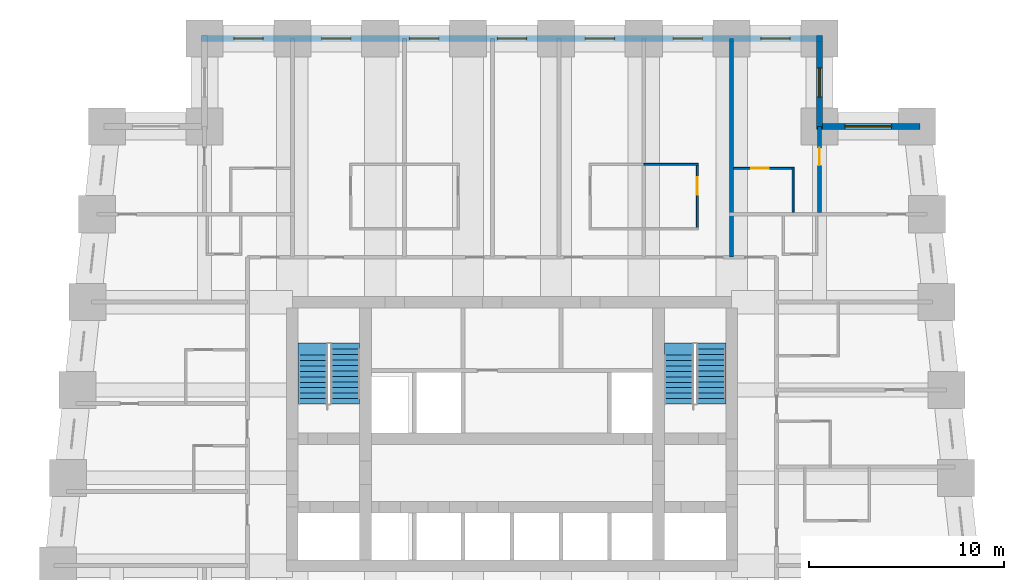
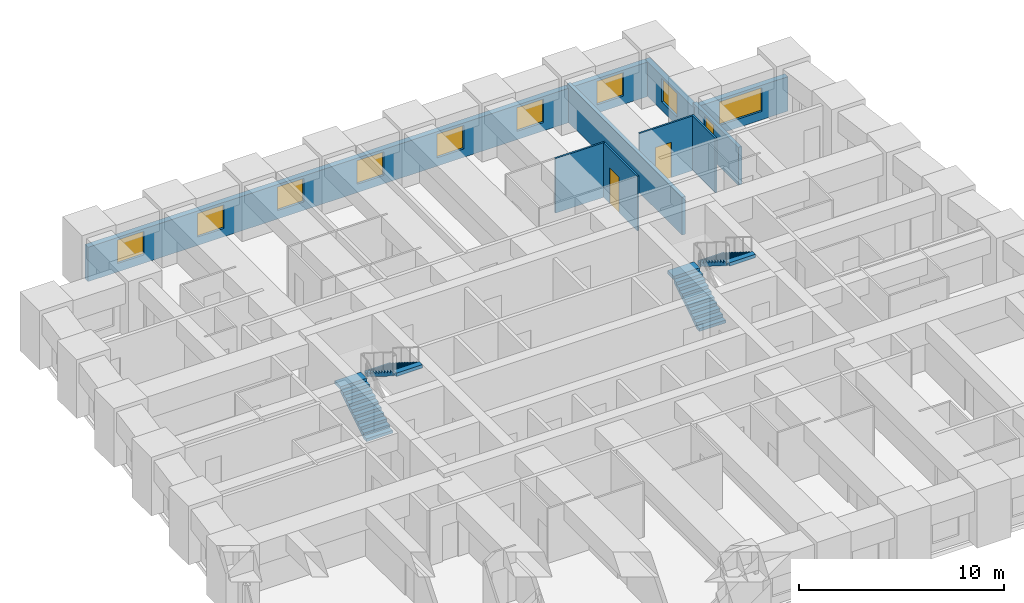
# One storey, part 7 of 8: 9 walls, 9 windows, 4 stair flights, 3 doors, 12 openings, 2 elements without a shape of their own.
"""IFC4 building model written with IfcOpenShell, lengths in metres."""

import ifcopenshell
import ifcopenshell.guid

model = None  # the IFC model being written
_history = None  # IfcOwnerHistory: only IFC2X3 demands one
_inside = {}  # id of a spatial element -> (the spatial element, [elements in it])
_under = {}  # id of a project, library or spatial element -> (it, [spatial elements below it])
_declared = {}  # id of a project -> (the project, [libraries it declares])
_typed = {}  # id of a type object -> (the type object, [elements of that type])
_made_of = {}  # id of a material, layer set ... -> (it, [elements and type objects made of it])


def new_model(schema):
    """Start an empty IFC model of exactly this schema.

    Asked for "IFC4X3", IfcOpenShell would pick the latest addendum, in which some entities
    have other attributes; the version numbers below select the first issue.
    IFC2X3 requires an IfcOwnerHistory on every rooted entity: one is made here for all.
    """
    global model, _history
    if schema == "IFC4X3":
        model = ifcopenshell.file(schema_version=(4, 3, 0, 0))
    else:
        model = ifcopenshell.file(schema=schema)
    _inside.clear()
    _under.clear()
    _declared.clear()
    _typed.clear()
    _made_of.clear()
    _history = None
    if model.schema == "IFC2X3":
        org = make("IfcOrganization", Name="unknown")
        user = make(
            "IfcPersonAndOrganization",
            ThePerson=make("IfcPerson", FamilyName="unknown"),
            TheOrganization=org,
        )
        app = make(
            "IfcApplication",
            ApplicationDeveloper=org,
            Version="unknown",
            ApplicationFullName="unknown",
            ApplicationIdentifier="unknown",
        )
        _history = make(
            "IfcOwnerHistory",
            OwningUser=user,
            OwningApplication=app,
            ChangeAction="ADDED",
            CreationDate=0,
        )
    return model


def make(cls, **values):
    """One entity of the class cls with the attributes given. An attribute that is None is left unset."""
    return model.create_entity(
        cls, **{name: value for name, value in values.items() if value is not None}
    )


def rooted(cls, **values):
    """An entity with a GlobalId (a new one), such as an element, a storey or a relation."""
    return make(cls, GlobalId=ifcopenshell.guid.new(), OwnerHistory=_history, **values)


def si_unit(unit_type, name, prefix=None):
    """IfcSIUnit, for example si_unit("LENGTHUNIT", "METRE", prefix="MILLI")."""
    return make("IfcSIUnit", UnitType=unit_type, Prefix=prefix, Name=name)


def assignment(units):
    """IfcUnitAssignment: the units of a project."""
    return None if units is None else make("IfcUnitAssignment", Units=units)


def point(xyz):
    """IfcCartesianPoint."""
    return None if xyz is None else make("IfcCartesianPoint", Coordinates=xyz)


def direction(xyz):
    """IfcDirection."""
    return None if xyz is None else make("IfcDirection", DirectionRatios=xyz)


def frame(location, z_axis=None, x_axis=None):
    """IfcAxis2Placement3D, a coordinate frame: its origin and axes. An axis left out is left unset."""
    return make(
        "IfcAxis2Placement3D",
        Location=point(location),
        Axis=direction(z_axis),
        RefDirection=direction(x_axis),
    )


def frame_2d(location, x_axis=None):
    """IfcAxis2Placement2D, a coordinate frame in the plane: its origin and x axis."""
    return make(
        "IfcAxis2Placement2D", Location=point(location), RefDirection=direction(x_axis)
    )


def origin():
    """The frame at (0, 0, 0) with its axes left unset."""
    return frame((0.0, 0.0, 0.0))


def place(relative_to, where):
    """IfcLocalPlacement: puts the frame where relative to a parent placement (None: the world)."""
    return make(
        "IfcLocalPlacement", PlacementRelTo=relative_to, RelativePlacement=where
    )


def context(
    kind, dimensions, precision=None, world=None, true_north=None, identifier=None
):
    """IfcGeometricRepresentationContext, for example the 3D "Model" context."""
    return make(
        "IfcGeometricRepresentationContext",
        ContextIdentifier=identifier,
        ContextType=kind,
        CoordinateSpaceDimension=dimensions,
        Precision=precision,
        WorldCoordinateSystem=world,
        TrueNorth=true_north,
    )


def subcontext(parent, identifier, kind, view, scale=None):
    """IfcGeometricRepresentationSubContext, for example "Body" below "Model"."""
    return make(
        "IfcGeometricRepresentationSubContext",
        ContextIdentifier=identifier,
        ContextType=kind,
        ParentContext=parent,
        TargetScale=scale,
        TargetView=view,
    )


def project(units=None, contexts=None):
    """IfcProject with its units and contexts."""
    return rooted(
        "IfcProject",
        Name="project",
        RepresentationContexts=contexts,
        UnitsInContext=assignment(units),
    )


def spatial(cls, under=None, at=None, **own):
    """A site, building, storey or space (cls), placed at a placement, below another one or the project."""
    s = rooted(cls, ObjectPlacement=at, **own)
    if under is not None:
        _under.setdefault(under.id(), (under, []))[1].append(s)
    return s


def polyline(points):
    """IfcPolyline through the points."""
    return make("IfcPolyline", Points=[point(p) for p in points])


def profile(cls, at=None, kind="AREA", **sizes):
    """A parametric profile (cls). Its sizes go by their IFC names, for example OverallWidth=200.0."""
    return make(cls, ProfileType=kind, Position=at, **sizes)


def rectangle(**sizes):
    """IfcRectangleProfileDef."""
    return profile("IfcRectangleProfileDef", **sizes)


def outline(outer, holes=None, kind="AREA"):
    """IfcArbitraryClosedProfileDef: a profile drawn as a closed curve; with holes, ...WithVoids."""
    if holes is None:
        return make("IfcArbitraryClosedProfileDef", ProfileType=kind, OuterCurve=outer)
    return make(
        "IfcArbitraryProfileDefWithVoids",
        ProfileType=kind,
        OuterCurve=outer,
        InnerCurves=holes,
    )


def extrude(swept, where, along, depth):
    """IfcExtrudedAreaSolid: the profile swept, set in the frame where, extruded along a direction by depth."""
    return make(
        "IfcExtrudedAreaSolid",
        SweptArea=swept,
        Position=where,
        ExtrudedDirection=direction(along),
        Depth=depth,
    )


def shape(context_of_items, identifier, shape_type, items):
    """IfcShapeRepresentation: the items that make up one representation, for example the "Body"."""
    return make(
        "IfcShapeRepresentation",
        ContextOfItems=context_of_items,
        RepresentationIdentifier=identifier,
        RepresentationType=shape_type,
        Items=items,
    )


def material(Name=None, Category=None):
    """IfcMaterial."""
    return make("IfcMaterial", Name=Name, Category=Category)


def layer(
    of_material, thickness, ventilated=None, Name=None, Category=None, Priority=None
):
    """IfcMaterialLayer: one layer of a wall or slab, of a material (None: an air gap)."""
    return make(
        "IfcMaterialLayer",
        Material=of_material,
        LayerThickness=thickness,
        IsVentilated=ventilated,
        Name=Name,
        Category=Category,
        Priority=Priority,
    )


def layer_set(layers, Name=None):
    """IfcMaterialLayerSet."""
    return make("IfcMaterialLayerSet", MaterialLayers=layers, LayerSetName=Name)


def made_of(thing, what):
    """Note that an element or type object is made of a material, layer set ...; save() writes the relation."""
    if what is not None:
        _made_of.setdefault(what.id(), (what, []))[1].append(thing)
    return thing


def type_object(cls, material=None, **own):
    """A type object (cls), such as IfcWallType, which elements share."""
    return made_of(rooted(cls, **own), material)


def element(
    cls,
    number,
    at=None,
    inside=None,
    cuts=None,
    type_object=None,
    material=None,
    context=None,
    identifier="Body",
    shape_type=None,
    held_by="IfcProductDefinitionShape",
    body=None,
    shapes=None,
    **own,
):
    """One element of the class cls, such as IfcWall. Its Tag is "e" and its number.

    at: its placement. inside: the storey or other place that contains it. cuts: it is an
    opening in that element (IfcRelVoidsElement). A single representation is given by context,
    identifier, shape_type and body (its items); several are given by shapes. held_by: the class
    of the entity that holds the representations. save() writes the other relations.
    """
    e = rooted(cls, Tag="e%d" % number, ObjectPlacement=at, **own)
    if body is not None:
        shapes = [shape(context, identifier, shape_type, body)]
    if shapes is not None:
        e.Representation = make(held_by, Representations=shapes)
    if inside is not None:
        _inside.setdefault(inside.id(), (inside, []))[1].append(e)
    if cuts is not None:
        rooted(
            "IfcRelVoidsElement", RelatingBuildingElement=cuts, RelatedOpeningElement=e
        )
    if type_object is not None:
        _typed.setdefault(type_object.id(), (type_object, []))[1].append(e)
    return made_of(e, material)


def fill(opening, filler):
    """IfcRelFillsElement: the door or window that sits in an opening."""
    return rooted(
        "IfcRelFillsElement",
        RelatingOpeningElement=opening,
        RelatedBuildingElement=filler,
    )


def aggregate(whole, parts):
    """IfcRelAggregates: a whole, such as a stair, and the parts it consists of."""
    return rooted("IfcRelAggregates", RelatingObject=whole, RelatedObjects=parts)


def save(model, path):
    """Write the relations noted so far, then the file.

    IfcRelAggregates (storeys below a building ...), IfcRelContainedInSpatialStructure (elements
    in a storey), IfcRelDefinesByType, IfcRelAssociatesMaterial and IfcRelDeclares: one each for
    every whole, place, type object, material and project.
    """
    for whole, parts in _under.values():
        aggregate(whole, parts)
    for where, things in _inside.values():
        rooted(
            "IfcRelContainedInSpatialStructure",
            RelatedElements=things,
            RelatingStructure=where,
        )
    for kind, things in _typed.values():
        rooted("IfcRelDefinesByType", RelatedObjects=things, RelatingType=kind)
    for what, things in _made_of.values():
        rooted("IfcRelAssociatesMaterial", RelatedObjects=things, RelatingMaterial=what)
    for by, libraries in _declared.values():
        rooted("IfcRelDeclares", RelatingContext=by, RelatedDefinitions=libraries)
    model.write(path)


model = new_model("IFC4")

# Units and contexts
model_context = context("Model", 3, precision=1e-05, world=origin(), true_north=direction((0.0, 1.0)))
body_context = subcontext(model_context, "Body", "Model", "MODEL_VIEW")
ifc_project = project(units=[si_unit("LENGTHUNIT", "METRE"), si_unit("AREAUNIT", "SQUARE_METRE"), si_unit("VOLUMEUNIT", "CUBIC_METRE"), si_unit("PLANEANGLEUNIT", "RADIAN"), si_unit("MASSUNIT", "GRAM", prefix="KILO")], contexts=[model_context])

# Site, building, storey
site_placement = place(None, origin())
site = spatial("IfcSite", under=ifc_project, at=site_placement, CompositionType="ELEMENT")
building_placement = place(site_placement, origin())
building = spatial("IfcBuilding", under=site, at=building_placement, Name="Kilele Tower Hotel", CompositionType="ELEMENT")
storey_placement = place(building_placement, frame((0.0, 0.0, 75.199951171875)))
storey = spatial("IfcBuildingStorey", under=building, at=storey_placement, Name="L18", CompositionType="ELEMENT", Elevation=75.199951171875)

# Wall
ifc_material_1 = material(Name="Moisture-resistant board")
ifc_layer_1 = layer(ifc_material_1, 0.10009765625)
ifc_layer_set_1 = layer_set([ifc_layer_1], Name="Moisture-resistant board")
wall_type_1 = type_object("IfcWallType", Name="Bathroom partition 100", PredefinedType="PLUMBINGWALL", material=ifc_layer_set_1)
wall_1_placement = place(storey_placement, frame((31.5, 34.050048828125, 0.0), z_axis=(0.0, 0.0, 1.0), x_axis=(1.0, 0.0, 0.0)))
element("IfcWall", 1, at=wall_1_placement, inside=storey, type_object=wall_type_1, Name="Bathroom partition 100 L18", PredefinedType="PLUMBINGWALL", context=body_context, shape_type="SweptSolid", body=[
    extrude(rectangle(XDim=2.800048828125, YDim=0.10009765625, at=frame_2d((1.39990234375, 0.0))), origin(), (0.0, 0.0, 1.0), 3.25),
])

# Wall, opening, door
wall_2_placement = place(storey_placement, frame((34.25, 30.699951171875, 0.0), z_axis=(0.0, 0.0, 1.0), x_axis=(0.0, 1.0, 0.0)))
wall_2 = element("IfcWall", 2, at=wall_2_placement, inside=storey, type_object=wall_type_1, Name="Bathroom partition 100 L18", PredefinedType="PLUMBINGWALL", context=body_context, shape_type="SweptSolid", body=[
    extrude(rectangle(XDim=3.400146484375, YDim=0.10009765625, at=frame_2d((1.7001953125, 0.0))), origin(), (0.0, 0.0, 1.0), 3.25),
])
opening_1_placement = place(wall_2_placement, frame((2.699951171875, 0.0, 0.0), z_axis=(0.0, 0.0, 1.0), x_axis=(-1.0, 0.0, 0.0)))
opening_1 = element("IfcOpeningElement", 3, at=opening_1_placement, cuts=wall_2, Name="Opening D2A", PredefinedType="OPENING", context=body_context, shape_type="SweptSolid", body=[
    extrude(rectangle(XDim=0.89990234375, YDim=2.10009765625, at=frame_2d((0.449951171875, 1.050048828125))), frame((0.0, 0.06005859375, 0.0), z_axis=(0.0, -1.0, 0.0), x_axis=(1.0, 0.0, 0.0)), (0.0, 0.0, 1.0), 0.1201171875),
])
ifc_material_2 = material(Name="Timber door leaf in hardwood frame", Category="wood")
door_type_1 = type_object("IfcDoorType", Name="Bathroom door 900", OperationType="SINGLE_SWING_LEFT", PredefinedType="DOOR", material=ifc_material_2)
door_1_placement = place(opening_1_placement, origin())
door_1 = element("IfcDoor", 4, at=door_1_placement, inside=storey, type_object=door_type_1, Name="Bathroom door 1813B", OperationType="SINGLE_SWING_LEFT", OverallHeight=2.10009765625, OverallWidth=0.89990234375, PredefinedType="DOOR", context=body_context, shape_type="SweptSolid", body=[
    extrude(rectangle(XDim=0.89990234375, YDim=2.10009765625, at=frame_2d((0.449951171875, 1.050048828125))), frame((0.0, 0.02490234375, 0.0), z_axis=(0.0, -1.0, 0.0), x_axis=(1.0, 0.0, 0.0)), (0.0, 0.0, 1.0), 0.050048828125),
])
fill(opening_1, door_1)

# Wall
wall_3_placement = place(storey_placement, frame((39.14990234375, 31.60009765625, 0.0), z_axis=(0.0, 0.0, 1.0), x_axis=(0.0, 1.0, 0.0)))
element("IfcWall", 5, at=wall_3_placement, inside=storey, type_object=wall_type_1, Name="Bathroom partition 100 L18", PredefinedType="PLUMBINGWALL", context=body_context, shape_type="SweptSolid", body=[
    extrude(rectangle(XDim=2.2998046875, YDim=0.10009765625, at=frame_2d((1.14990234375, 0.0))), origin(), (0.0, 0.0, 1.0), 3.25),
])

# Wall, opening, door
wall_4_placement = place(storey_placement, frame((36.10009765625, 33.85009765625, 0.0), z_axis=(0.0, 0.0, 1.0), x_axis=(1.0, 0.0, 0.0)))
wall_4 = element("IfcWall", 6, at=wall_4_placement, inside=storey, type_object=wall_type_1, Name="Bathroom partition 100 L18", PredefinedType="PLUMBINGWALL", context=body_context, shape_type="SweptSolid", body=[
    extrude(rectangle(XDim=3.099853515625, YDim=0.10009765625, at=frame_2d((1.5498046875, 0.0))), origin(), (0.0, 0.0, 1.0), 3.25),
])
opening_2_placement = place(wall_4_placement, frame((0.89990234375, 0.0, 0.0)))
opening_2 = element("IfcOpeningElement", 7, at=opening_2_placement, cuts=wall_4, Name="Opening D2A", PredefinedType="OPENING", context=body_context, shape_type="SweptSolid", body=[
    extrude(rectangle(XDim=0.89990234375, YDim=2.10009765625, at=frame_2d((0.449951171875, 1.050048828125))), frame((0.0, 0.06005859375, 0.0), z_axis=(0.0, -1.0, 0.0), x_axis=(1.0, 0.0, 0.0)), (0.0, 0.0, 1.0), 0.1201171875),
])
door_2_placement = place(opening_2_placement, origin())
door_2 = element("IfcDoor", 8, at=door_2_placement, inside=storey, type_object=door_type_1, Name="Bathroom door 1824B", OperationType="SINGLE_SWING_LEFT", OverallHeight=2.10009765625, OverallWidth=0.89990234375, PredefinedType="DOOR", context=body_context, shape_type="SweptSolid", body=[
    extrude(rectangle(XDim=0.89990234375, YDim=2.10009765625, at=frame_2d((0.449951171875, 1.050048828125))), frame((0.0, 0.02490234375, 0.0), z_axis=(0.0, -1.0, 0.0), x_axis=(1.0, 0.0, 0.0)), (0.0, 0.0, 1.0), 0.050048828125),
])
fill(opening_2, door_2)

ifc_material_3 = material(Name="Blockwork, plastered both sides", Category="masonry")
ifc_layer_2 = layer(ifc_material_3, 0.199951171875)
ifc_layer_set_2 = layer_set([ifc_layer_2], Name="Blockwork, plastered both sides")
wall_type_2 = type_object("IfcWallType", Name="Partition wall 200", PredefinedType="PARTITIONING", material=ifc_layer_set_2)
wall_5_placement = place(storey_placement, frame((40.5, 31.60009765625, 0.0), z_axis=(0.0, 0.0, 1.0), x_axis=(0.0, 1.0, 0.0)))
wall_5 = element("IfcWall", 9, at=wall_5_placement, inside=storey, type_object=wall_type_2, Name="Partition wall 200 L18", PredefinedType="PARTITIONING", context=body_context, shape_type="SweptSolid", body=[
    extrude(rectangle(XDim=4.39990234375, YDim=0.199951171875, at=frame_2d((2.199951171875, 0.0))), origin(), (0.0, 0.0, 1.0), 2.25),
])
opening_3_placement = place(wall_5_placement, frame((2.39990234375, 0.0, 0.0)))
opening_3 = element("IfcOpeningElement", 10, at=opening_3_placement, cuts=wall_5, Name="Opening D3", PredefinedType="OPENING", context=body_context, shape_type="SweptSolid", body=[
    extrude(rectangle(XDim=0.89990234375, YDim=2.10009765625, at=frame_2d((0.449951171875, 1.050048828125))), frame((0.0, 0.10986328125, 0.0), z_axis=(0.0, -1.0, 0.0), x_axis=(1.0, 0.0, 0.0)), (0.0, 0.0, 1.0), 0.219970703125),
])
ifc_material_4 = material(Name="Timber door leaf in hardwood frame", Category="wood")
door_type_2 = type_object("IfcDoorType", Name="Suite internal door 900", OperationType="SINGLE_SWING_LEFT", PredefinedType="DOOR", material=ifc_material_4)
door_3_placement = place(opening_3_placement, origin())
door_3 = element("IfcDoor", 11, at=door_3_placement, inside=storey, type_object=door_type_2, Name="Suite door 1825", OperationType="SINGLE_SWING_RIGHT", OverallHeight=2.10009765625, OverallWidth=0.89990234375, PredefinedType="DOOR", context=body_context, shape_type="SweptSolid", body=[
    extrude(rectangle(XDim=0.89990234375, YDim=2.10009765625, at=frame_2d((0.449951171875, 1.050048828125))), frame((0.0, 0.02490234375, 0.0), z_axis=(0.0, -1.0, 0.0), x_axis=(1.0, 0.0, 0.0)), (0.0, 0.0, 1.0), 0.050048828125),
])
fill(opening_3, door_3)

# Wall
ifc_material_5 = material(Name="Blockwork, plastered both sides", Category="masonry")
ifc_layer_3 = layer(ifc_material_5, 0.199951171875)
ifc_layer_set_3 = layer_set([ifc_layer_3], Name="Blockwork, plastered both sides")
wall_type_3 = type_object("IfcWallType", Name="Party wall 200", PredefinedType="PARTITIONING", material=ifc_layer_set_3)
wall_6_placement = place(storey_placement, frame((36.0, 29.300048828125, 0.0), z_axis=(0.0, 0.0, 1.0), x_axis=(0.0, 1.0, 0.0)))
element("IfcWall", 12, at=wall_6_placement, inside=storey, type_object=wall_type_3, Name="Party wall 200 L18", PredefinedType="PARTITIONING", context=body_context, shape_type="SweptSolid", body=[
    extrude(rectangle(XDim=11.199951171875, YDim=0.199951171875, at=frame_2d((5.60009765625, 0.0))), origin(), (0.0, 0.0, 1.0), 2.25),
])

# Wall, opening, window
ifc_material_6 = material(Name="Concrete C40/50 precast", Category="concrete")
ifc_layer_4 = layer(ifc_material_6, 0.260009765625, Name="Precast backing", Category="LoadBearing")
ifc_material_7 = material(Name="Reconstituted stone finish", Category="masonry")
ifc_layer_5 = layer(ifc_material_7, 0.0400390625, Name="Face mix", Category="Finish")
ifc_layer_set_4 = layer_set([ifc_layer_4, ifc_layer_5], Name="Precast concrete C40/50, reconstituted stone finish")
wall_type_4 = type_object("IfcWallType", Name="Precast stone facade wall 300", PredefinedType="STANDARD", material=ifc_layer_set_4)
wall_7_placement = place(storey_placement, frame((45.64990234375, 36.0, 0.0), z_axis=(0.0, 0.0, 1.0), x_axis=(-1.0, 0.0, 0.0)))
wall_7 = element("IfcWall", 13, at=wall_7_placement, inside=storey, type_object=wall_type_4, Name="Facade wall L18 edge 7", PredefinedType="STANDARD", context=body_context, shape_type="SweptSolid", body=[
    extrude(rectangle(XDim=5.2998046875, YDim=0.300048828125, at=frame_2d((2.64990234375, 0.0))), origin(), (0.0, 0.0, 1.0), 2.050048828125),
])
opening_4_placement = place(wall_7_placement, frame((1.449951171875, 0.0, 0.5)))
opening_4 = element("IfcOpeningElement", 14, at=opening_4_placement, cuts=wall_7, Name="Opening W1", PredefinedType="OPENING", context=body_context, shape_type="SweptSolid", body=[
    extrude(rectangle(XDim=2.39990234375, YDim=1.39990234375, at=frame_2d((1.199951171875, 0.699951171875))), frame((0.0, 0.159912109375, 0.0), z_axis=(0.0, -1.0, 0.0), x_axis=(1.0, 0.0, 0.0)), (0.0, 0.0, 1.0), 0.320068359375),
])
ifc_material_8 = material(Name="Aluminium frame, clear double glazing", Category="aluminium")
window_type_1 = type_object("IfcWindowType", Name="Window W1 2400 x 1400", PartitioningType="SINGLE_PANEL", PredefinedType="WINDOW", material=ifc_material_8)
window_1_placement = place(opening_4_placement, origin())
window_1 = element("IfcWindow", 15, at=window_1_placement, inside=storey, type_object=window_type_1, Name="Window L18", OverallHeight=1.39990234375, OverallWidth=2.39990234375, PartitioningType="SINGLE_PANEL", PredefinedType="WINDOW", context=body_context, shape_type="SweptSolid", body=[
    extrude(rectangle(XDim=2.39990234375, YDim=1.39990234375, at=frame_2d((1.199951171875, 0.699951171875))), frame((0.0, 0.030029296875, 0.0), z_axis=(0.0, -1.0, 0.0), x_axis=(1.0, 0.0, 0.0)), (0.0, 0.0, 1.0), 0.06005859375),
])
fill(opening_4, window_1)

wall_8_placement = place(storey_placement, frame((40.5, 35.85009765625, 0.0), z_axis=(0.0, 0.0, 1.0), x_axis=(0.0, 1.0, 0.0)))
wall_8 = element("IfcWall", 16, at=wall_8_placement, inside=storey, type_object=wall_type_4, Name="Facade wall L18 edge 8", PredefinedType="STANDARD", context=body_context, shape_type="SweptSolid", body=[
    extrude(rectangle(XDim=4.7998046875, YDim=0.300048828125, at=frame_2d((2.39990234375, 0.0))), origin(), (0.0, 0.0, 1.0), 2.050048828125),
])
opening_5_placement = place(wall_8_placement, frame((1.64990234375, 0.0, 0.5)))
opening_5 = element("IfcOpeningElement", 17, at=opening_5_placement, cuts=wall_8, Name="Opening W1", PredefinedType="OPENING", context=body_context, shape_type="SweptSolid", body=[
    extrude(rectangle(XDim=1.5, YDim=1.39990234375, at=frame_2d((0.75, 0.699951171875))), frame((0.0, 0.159912109375, 0.0), z_axis=(0.0, -1.0, 0.0), x_axis=(1.0, 0.0, 0.0)), (0.0, 0.0, 1.0), 0.320068359375),
])
ifc_material_9 = material(Name="Aluminium frame, clear double glazing", Category="aluminium")
window_type_2 = type_object("IfcWindowType", Name="Window W1 1500 x 1400", PartitioningType="SINGLE_PANEL", PredefinedType="WINDOW", material=ifc_material_9)
window_2_placement = place(opening_5_placement, origin())
window_2 = element("IfcWindow", 18, at=window_2_placement, inside=storey, type_object=window_type_2, Name="Window L18", OverallHeight=1.39990234375, OverallWidth=1.5, PartitioningType="SINGLE_PANEL", PredefinedType="WINDOW", context=body_context, shape_type="SweptSolid", body=[
    extrude(rectangle(XDim=1.5, YDim=1.39990234375, at=frame_2d((0.75, 0.699951171875))), frame((0.0, 0.030029296875, 0.0), z_axis=(0.0, -1.0, 0.0), x_axis=(1.0, 0.0, 0.0)), (0.0, 0.0, 1.0), 0.06005859375),
])
fill(opening_5, window_2)

# Wall, openings, windows
wall_9_placement = place(storey_placement, frame((40.64990234375, 40.5, 0.0), z_axis=(0.0, 0.0, 1.0), x_axis=(-1.0, 0.0, 0.0)))
wall_9 = element("IfcWall", 19, at=wall_9_placement, inside=storey, type_object=wall_type_4, Name="Facade wall L18 edge 9", PredefinedType="STANDARD", context=body_context, shape_type="SweptSolid", body=[
    extrude(rectangle(XDim=31.7998046875, YDim=0.300048828125, at=frame_2d((15.89990234375, 0.0))), origin(), (0.0, 0.0, 1.0), 2.050048828125),
])
opening_6_placement = place(wall_9_placement, frame((1.64990234375, 0.0, 0.5)))
opening_6 = element("IfcOpeningElement", 20, at=opening_6_placement, cuts=wall_9, Name="Opening W1", PredefinedType="OPENING", context=body_context, shape_type="SweptSolid", body=[
    extrude(rectangle(XDim=1.5, YDim=1.39990234375, at=frame_2d((0.75, 0.699951171875))), frame((0.0, 0.159912109375, 0.0), z_axis=(0.0, -1.0, 0.0), x_axis=(1.0, 0.0, 0.0)), (0.0, 0.0, 1.0), 0.320068359375),
])
opening_7_placement = place(wall_9_placement, frame((6.14990234375, 0.0, 0.5)))
opening_7 = element("IfcOpeningElement", 21, at=opening_7_placement, cuts=wall_9, Name="Opening W1", PredefinedType="OPENING", context=body_context, shape_type="SweptSolid", body=[
    extrude(rectangle(XDim=1.5, YDim=1.39990234375, at=frame_2d((0.75, 0.699951171875))), frame((0.0, 0.159912109375, 0.0), z_axis=(0.0, -1.0, 0.0), x_axis=(1.0, 0.0, 0.0)), (0.0, 0.0, 1.0), 0.320068359375),
])
opening_8_placement = place(wall_9_placement, frame((10.64990234375, 0.0, 0.5)))
opening_8 = element("IfcOpeningElement", 22, at=opening_8_placement, cuts=wall_9, Name="Opening W1", PredefinedType="OPENING", context=body_context, shape_type="SweptSolid", body=[
    extrude(rectangle(XDim=1.5, YDim=1.39990234375, at=frame_2d((0.75, 0.699951171875))), frame((0.0, 0.159912109375, 0.0), z_axis=(0.0, -1.0, 0.0), x_axis=(1.0, 0.0, 0.0)), (0.0, 0.0, 1.0), 0.320068359375),
])
opening_9_placement = place(wall_9_placement, frame((15.14990234375, 0.0, 0.5)))
opening_9 = element("IfcOpeningElement", 23, at=opening_9_placement, cuts=wall_9, Name="Opening W1", PredefinedType="OPENING", context=body_context, shape_type="SweptSolid", body=[
    extrude(rectangle(XDim=1.5, YDim=1.39990234375, at=frame_2d((0.75, 0.699951171875))), frame((0.0, 0.159912109375, 0.0), z_axis=(0.0, -1.0, 0.0), x_axis=(1.0, 0.0, 0.0)), (0.0, 0.0, 1.0), 0.320068359375),
])
opening_10_placement = place(wall_9_placement, frame((19.64990234375, 0.0, 0.5)))
opening_10 = element("IfcOpeningElement", 24, at=opening_10_placement, cuts=wall_9, Name="Opening W1", PredefinedType="OPENING", context=body_context, shape_type="SweptSolid", body=[
    extrude(rectangle(XDim=1.5, YDim=1.39990234375, at=frame_2d((0.75, 0.699951171875))), frame((0.0, 0.159912109375, 0.0), z_axis=(0.0, -1.0, 0.0), x_axis=(1.0, 0.0, 0.0)), (0.0, 0.0, 1.0), 0.320068359375),
])
opening_11_placement = place(wall_9_placement, frame((24.14990234375, 0.0, 0.5)))
opening_11 = element("IfcOpeningElement", 25, at=opening_11_placement, cuts=wall_9, Name="Opening W1", PredefinedType="OPENING", context=body_context, shape_type="SweptSolid", body=[
    extrude(rectangle(XDim=1.5, YDim=1.39990234375, at=frame_2d((0.75, 0.699951171875))), frame((0.0, 0.159912109375, 0.0), z_axis=(0.0, -1.0, 0.0), x_axis=(1.0, 0.0, 0.0)), (0.0, 0.0, 1.0), 0.320068359375),
])
opening_12_placement = place(wall_9_placement, frame((28.64990234375, 0.0, 0.5)))
opening_12 = element("IfcOpeningElement", 26, at=opening_12_placement, cuts=wall_9, Name="Opening W1", PredefinedType="OPENING", context=body_context, shape_type="SweptSolid", body=[
    extrude(rectangle(XDim=1.5, YDim=1.39990234375, at=frame_2d((0.75, 0.699951171875))), frame((0.0, 0.159912109375, 0.0), z_axis=(0.0, -1.0, 0.0), x_axis=(1.0, 0.0, 0.0)), (0.0, 0.0, 1.0), 0.320068359375),
])
window_3_placement = place(opening_6_placement, origin())
window_3 = element("IfcWindow", 27, at=window_3_placement, inside=storey, type_object=window_type_2, Name="Window L18", OverallHeight=1.39990234375, OverallWidth=1.5, PartitioningType="SINGLE_PANEL", PredefinedType="WINDOW", context=body_context, shape_type="SweptSolid", body=[
    extrude(rectangle(XDim=1.5, YDim=1.39990234375, at=frame_2d((0.75, 0.699951171875))), frame((0.0, 0.030029296875, 0.0), z_axis=(0.0, -1.0, 0.0), x_axis=(1.0, 0.0, 0.0)), (0.0, 0.0, 1.0), 0.06005859375),
])
fill(opening_6, window_3)
window_4_placement = place(opening_7_placement, origin())
window_4 = element("IfcWindow", 28, at=window_4_placement, inside=storey, type_object=window_type_2, Name="Window L18", OverallHeight=1.39990234375, OverallWidth=1.5, PartitioningType="SINGLE_PANEL", PredefinedType="WINDOW", context=body_context, shape_type="SweptSolid", body=[
    extrude(rectangle(XDim=1.5, YDim=1.39990234375, at=frame_2d((0.75, 0.699951171875))), frame((0.0, 0.030029296875, 0.0), z_axis=(0.0, -1.0, 0.0), x_axis=(1.0, 0.0, 0.0)), (0.0, 0.0, 1.0), 0.06005859375),
])
fill(opening_7, window_4)
window_5_placement = place(opening_8_placement, origin())
window_5 = element("IfcWindow", 29, at=window_5_placement, inside=storey, type_object=window_type_2, Name="Window L18", OverallHeight=1.39990234375, OverallWidth=1.5, PartitioningType="SINGLE_PANEL", PredefinedType="WINDOW", context=body_context, shape_type="SweptSolid", body=[
    extrude(rectangle(XDim=1.5, YDim=1.39990234375, at=frame_2d((0.75, 0.699951171875))), frame((0.0, 0.030029296875, 0.0), z_axis=(0.0, -1.0, 0.0), x_axis=(1.0, 0.0, 0.0)), (0.0, 0.0, 1.0), 0.06005859375),
])
fill(opening_8, window_5)
window_6_placement = place(opening_9_placement, origin())
window_6 = element("IfcWindow", 30, at=window_6_placement, inside=storey, type_object=window_type_2, Name="Window L18", OverallHeight=1.39990234375, OverallWidth=1.5, PartitioningType="SINGLE_PANEL", PredefinedType="WINDOW", context=body_context, shape_type="SweptSolid", body=[
    extrude(rectangle(XDim=1.5, YDim=1.39990234375, at=frame_2d((0.75, 0.699951171875))), frame((0.0, 0.030029296875, 0.0), z_axis=(0.0, -1.0, 0.0), x_axis=(1.0, 0.0, 0.0)), (0.0, 0.0, 1.0), 0.06005859375),
])
fill(opening_9, window_6)
window_7_placement = place(opening_10_placement, origin())
window_7 = element("IfcWindow", 31, at=window_7_placement, inside=storey, type_object=window_type_2, Name="Window L18", OverallHeight=1.39990234375, OverallWidth=1.5, PartitioningType="SINGLE_PANEL", PredefinedType="WINDOW", context=body_context, shape_type="SweptSolid", body=[
    extrude(rectangle(XDim=1.5, YDim=1.39990234375, at=frame_2d((0.75, 0.699951171875))), frame((0.0, 0.030029296875, 0.0), z_axis=(0.0, -1.0, 0.0), x_axis=(1.0, 0.0, 0.0)), (0.0, 0.0, 1.0), 0.06005859375),
])
fill(opening_10, window_7)
window_8_placement = place(opening_11_placement, origin())
window_8 = element("IfcWindow", 32, at=window_8_placement, inside=storey, type_object=window_type_2, Name="Window L18", OverallHeight=1.39990234375, OverallWidth=1.5, PartitioningType="SINGLE_PANEL", PredefinedType="WINDOW", context=body_context, shape_type="SweptSolid", body=[
    extrude(rectangle(XDim=1.5, YDim=1.39990234375, at=frame_2d((0.75, 0.699951171875))), frame((0.0, 0.030029296875, 0.0), z_axis=(0.0, -1.0, 0.0), x_axis=(1.0, 0.0, 0.0)), (0.0, 0.0, 1.0), 0.06005859375),
])
fill(opening_11, window_8)
window_9_placement = place(opening_12_placement, origin())
window_9 = element("IfcWindow", 33, at=window_9_placement, inside=storey, type_object=window_type_2, Name="Window L18", OverallHeight=1.39990234375, OverallWidth=1.5, PartitioningType="SINGLE_PANEL", PredefinedType="WINDOW", context=body_context, shape_type="SweptSolid", body=[
    extrude(rectangle(XDim=1.5, YDim=1.39990234375, at=frame_2d((0.75, 0.699951171875))), frame((0.0, 0.030029296875, 0.0), z_axis=(0.0, -1.0, 0.0), x_axis=(1.0, 0.0, 0.0)), (0.0, 0.0, 1.0), 0.06005859375),
])
fill(opening_12, window_9)

# Stair, stair flights
ifc_material_10 = material(Name="Precast concrete C40/50", Category="concrete")
stair_type = type_object("IfcStairType", Name="Stair 1475 x 3500", PredefinedType="HALF_TURN_STAIR", material=ifc_material_10)
stair_1_placement = place(storey_placement, origin())
stair_1 = element("IfcStair", 34, at=stair_1_placement, inside=storey, type_object=stair_type, Name="Stair 1 L18", PredefinedType="HALF_TURN_STAIR")
ifc_material_11 = material(Name="Precast concrete C40/50", Category="concrete")
stair_flight_type = type_object("IfcStairFlightType", Name="Flight 1475 riser 175.0", PredefinedType="STRAIGHT", material=ifc_material_11)
stair_flight_1_placement = place(storey_placement, frame((14.53759765625, 21.77490234375, 0.0), z_axis=(0.0, 0.0, 1.0), x_axis=(0.0, 1.0, 0.0)))
stair_flight_1 = element("IfcStairFlight", 35, at=stair_flight_1_placement, type_object=stair_flight_type, Name="ST1 flight 1", NumberOfRisers=10, NumberOfTreads=9, PredefinedType="STRAIGHT", RiserHeight=0.175, TreadLength=0.28, context=body_context, shape_type="SweptSolid", body=[
    extrude(outline(polyline([(0.0, 0.0), (0.0, 0.175048828125), (0.280029296875, 0.175048828125), (0.280029296875, 0.35009765625), (0.56005859375, 0.35009765625), (0.56005859375, 0.52490234375), (0.840087890625, 0.52490234375), (0.840087890625, 0.699951171875), (1.1201171875, 0.699951171875), (1.1201171875, 0.875), (1.39990234375, 0.875), (1.39990234375, 1.050048828125), (1.679931640625, 1.050048828125), (1.679931640625, 1.22509765625), (1.9599609375, 1.22509765625), (1.9599609375, 1.39990234375), (2.239990234375, 1.39990234375), (2.239990234375, 1.574951171875), (2.52001953125, 1.574951171875), (2.52001953125, 1.75), (2.52001953125, 1.398193359375), (0.28271484375, 0.0), (0.0, 0.0)])), frame((0.0, 0.737548828125, 0.0), z_axis=(0.0, -1.0, 0.0), x_axis=(1.0, 0.0, 0.0)), (0.0, 0.0, 1.0), 1.47509765625),
    extrude(outline(polyline([(2.52001953125, 0.737548828125), (2.52001953125, -0.7373046875), (3.1201171875, -0.7373046875), (3.1201171875, 0.737548828125), (2.52001953125, 0.737548828125)])), frame((0.0, 0.0, 1.550048828125)), (0.0, 0.0, 1.0), 0.199951171875),
])
stair_flight_2_placement = place(storey_placement, frame((16.21240234375, 24.594970703125, 1.75), z_axis=(0.0, 0.0, 1.0), x_axis=(0.0, -1.0, 0.0)))
stair_flight_2 = element("IfcStairFlight", 36, at=stair_flight_2_placement, type_object=stair_flight_type, Name="ST1 flight 2", NumberOfRisers=10, NumberOfTreads=9, PredefinedType="STRAIGHT", RiserHeight=0.175, TreadLength=0.28, context=body_context, shape_type="SweptSolid", body=[
    extrude(outline(polyline([(0.0, 0.0), (0.0, 0.175048828125), (0.280029296875, 0.175048828125), (0.280029296875, 0.35009765625), (0.56005859375, 0.35009765625), (0.56005859375, 0.52490234375), (0.840087890625, 0.52490234375), (0.840087890625, 0.699951171875), (1.1201171875, 0.699951171875), (1.1201171875, 0.875), (1.39990234375, 0.875), (1.39990234375, 1.050048828125), (1.679931640625, 1.050048828125), (1.679931640625, 1.22509765625), (1.9599609375, 1.22509765625), (1.9599609375, 1.39990234375), (2.239990234375, 1.39990234375), (2.239990234375, 1.574951171875), (2.52001953125, 1.574951171875), (2.52001953125, 1.75), (2.52001953125, 1.398193359375), (0.28271484375, 0.0), (0.0, 0.0)])), frame((0.0, 0.737548828125, 0.0), z_axis=(0.0, -1.0, 0.0), x_axis=(1.0, 0.0, 0.0)), (0.0, 0.0, 1.0), 1.47509765625),
    extrude(outline(polyline([(0.0, -0.7373046875), (0.0, 0.737548828125), (-0.300048828125, 0.737548828125), (-0.300048828125, -0.7373046875), (0.0, -0.7373046875)])), frame((0.0, 0.0, -0.199951171875)), (0.0, 0.0, 1.0), 0.199951171875),
    extrude(outline(polyline([(2.820068359375, -0.7373046875), (2.820068359375, 0.737548828125), (2.52001953125, 0.737548828125), (2.52001953125, -0.7373046875), (2.820068359375, -0.7373046875)])), frame((0.0, 0.0, 1.550048828125)), (0.0, 0.0, 1.0), 0.199951171875),
])
aggregate(stair_1, [stair_flight_1, stair_flight_2])

stair_2_placement = place(storey_placement, origin())
stair_2 = element("IfcStair", 37, at=stair_2_placement, inside=storey, type_object=stair_type, Name="Stair 2 L18", PredefinedType="HALF_TURN_STAIR")
stair_flight_3_placement = place(storey_placement, frame((33.28759765625, 21.77490234375, 0.0), z_axis=(0.0, 0.0, 1.0), x_axis=(0.0, 1.0, 0.0)))
stair_flight_3 = element("IfcStairFlight", 38, at=stair_flight_3_placement, type_object=stair_flight_type, Name="ST2 flight 1", NumberOfRisers=10, NumberOfTreads=9, PredefinedType="STRAIGHT", RiserHeight=0.175, TreadLength=0.28, context=body_context, shape_type="SweptSolid", body=[
    extrude(outline(polyline([(0.0, 0.0), (0.0, 0.175048828125), (0.280029296875, 0.175048828125), (0.280029296875, 0.35009765625), (0.56005859375, 0.35009765625), (0.56005859375, 0.52490234375), (0.840087890625, 0.52490234375), (0.840087890625, 0.699951171875), (1.1201171875, 0.699951171875), (1.1201171875, 0.875), (1.39990234375, 0.875), (1.39990234375, 1.050048828125), (1.679931640625, 1.050048828125), (1.679931640625, 1.22509765625), (1.9599609375, 1.22509765625), (1.9599609375, 1.39990234375), (2.239990234375, 1.39990234375), (2.239990234375, 1.574951171875), (2.52001953125, 1.574951171875), (2.52001953125, 1.75), (2.52001953125, 1.398193359375), (0.28271484375, 0.0), (0.0, 0.0)])), frame((0.0, 0.737548828125, 0.0), z_axis=(0.0, -1.0, 0.0), x_axis=(1.0, 0.0, 0.0)), (0.0, 0.0, 1.0), 1.47509765625),
    extrude(outline(polyline([(2.52001953125, 0.737548828125), (2.52001953125, -0.7373046875), (3.1201171875, -0.7373046875), (3.1201171875, 0.737548828125), (2.52001953125, 0.737548828125)])), frame((0.0, 0.0, 1.550048828125)), (0.0, 0.0, 1.0), 0.199951171875),
])
stair_flight_4_placement = place(storey_placement, frame((34.96240234375, 24.594970703125, 1.75), z_axis=(0.0, 0.0, 1.0), x_axis=(0.0, -1.0, 0.0)))
stair_flight_4 = element("IfcStairFlight", 39, at=stair_flight_4_placement, type_object=stair_flight_type, Name="ST2 flight 2", NumberOfRisers=10, NumberOfTreads=9, PredefinedType="STRAIGHT", RiserHeight=0.175, TreadLength=0.28, context=body_context, shape_type="SweptSolid", body=[
    extrude(outline(polyline([(0.0, 0.0), (0.0, 0.175048828125), (0.280029296875, 0.175048828125), (0.280029296875, 0.35009765625), (0.56005859375, 0.35009765625), (0.56005859375, 0.52490234375), (0.840087890625, 0.52490234375), (0.840087890625, 0.699951171875), (1.1201171875, 0.699951171875), (1.1201171875, 0.875), (1.39990234375, 0.875), (1.39990234375, 1.050048828125), (1.679931640625, 1.050048828125), (1.679931640625, 1.22509765625), (1.9599609375, 1.22509765625), (1.9599609375, 1.39990234375), (2.239990234375, 1.39990234375), (2.239990234375, 1.574951171875), (2.52001953125, 1.574951171875), (2.52001953125, 1.75), (2.52001953125, 1.398193359375), (0.28271484375, 0.0), (0.0, 0.0)])), frame((0.0, 0.737548828125, 0.0), z_axis=(0.0, -1.0, 0.0), x_axis=(1.0, 0.0, 0.0)), (0.0, 0.0, 1.0), 1.47509765625),
    extrude(outline(polyline([(0.0, -0.7373046875), (0.0, 0.737548828125), (-0.300048828125, 0.737548828125), (-0.300048828125, -0.7373046875), (0.0, -0.7373046875)])), frame((0.0, 0.0, -0.199951171875)), (0.0, 0.0, 1.0), 0.199951171875),
    extrude(outline(polyline([(2.820068359375, -0.7373046875), (2.820068359375, 0.737548828125), (2.52001953125, 0.737548828125), (2.52001953125, -0.7373046875), (2.820068359375, -0.7373046875)])), frame((0.0, 0.0, 1.550048828125)), (0.0, 0.0, 1.0), 0.199951171875),
])
aggregate(stair_2, [stair_flight_3, stair_flight_4])

save(model, "model.ifc")
